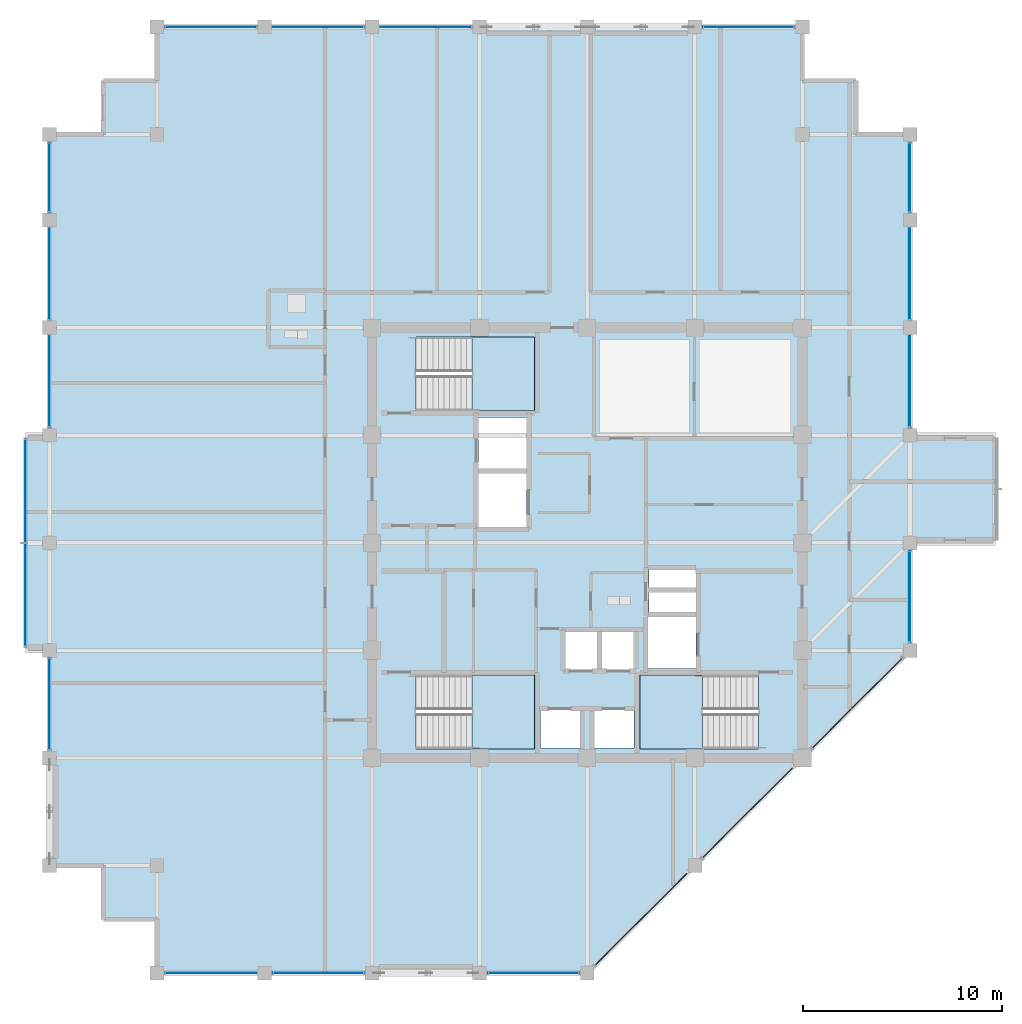
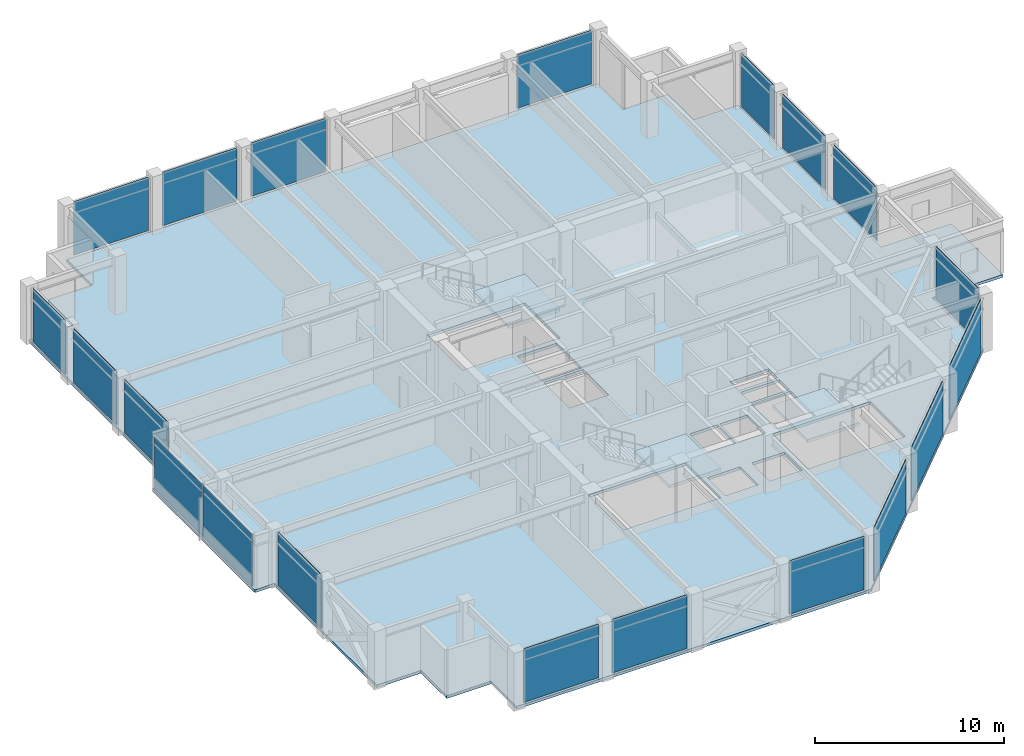
# One storey, part 23 of 32: 20 plates, 4 slabs, 13 elements without a shape of their own.
"""IFC4 building model written with IfcOpenShell, lengths in metres."""

from ifc_helpers import new_model, si_unit, direction, frame, frame_2d, origin, place, context, subcontext, project, spatial, polyline, rectangle, outline, extrude, material, layer, layer_set, type_object, element, aggregate, save


model = new_model("IFC4")

# Units and contexts
model_context = context("Model", 3, precision=1e-05, world=origin(), true_north=direction((0.0, 1.0)))
body_context = subcontext(model_context, "Body", "Model", "MODEL_VIEW")
ifc_project = project(units=[si_unit("LENGTHUNIT", "METRE"), si_unit("AREAUNIT", "SQUARE_METRE"), si_unit("VOLUMEUNIT", "CUBIC_METRE"), si_unit("PLANEANGLEUNIT", "RADIAN"), si_unit("MASSUNIT", "GRAM", prefix="KILO")], contexts=[model_context])

# Site, building, storey
site_placement = place(None, origin())
site = spatial("IfcSite", under=ifc_project, at=site_placement, CompositionType="ELEMENT")
building_placement = place(site_placement, origin())
building = spatial("IfcBuilding", under=site, at=building_placement, Name="Surkhivell Harbour Commons", CompositionType="ELEMENT")
storey_placement = place(building_placement, frame((0.0, 0.0, 311.25)))
storey = spatial("IfcBuildingStorey", under=building, at=storey_placement, Name="L81", CompositionType="ELEMENT", Elevation=311.25)

# Curtain wall, plates
ifc_material_1 = material(Name="Anodised pale-metal aluminium and insulated glazing", Category="aluminium")
ifc_layer_1 = layer(ifc_material_1, 0.1650390625)
ifc_layer_set_1 = layer_set([ifc_layer_1], Name="Anodised pale-metal aluminium and insulated glazing")
curtain_wall_type_1 = type_object("IfcCurtainWallType", Name="CW-SYS-BOX", PredefinedType="NOTDEFINED", material=ifc_layer_set_1)
curtain_wall_1_placement = place(storey_placement, origin())
curtain_wall_1 = element("IfcCurtainWall", 1, at=curtain_wall_1_placement, inside=storey, type_object=curtain_wall_type_1, Name="L81 Curtain Wall CW-L81-BOX02", PredefinedType="NOTDEFINED")
ifc_material_2 = material(Name="Triple-glazed bay-cluster vision glass", Category="glass")
ifc_layer_2 = layer(ifc_material_2, 0.028076171875)
ifc_layer_set_2 = layer_set([ifc_layer_2], Name="Triple-glazed bay-cluster vision glass")
plate_type_1 = type_object("IfcPlateType", Name="CWP-GLZ-28", PredefinedType="CURTAIN_PANEL", material=ifc_layer_set_2)
plate_1_placement = place(storey_placement, frame((-28.199951171875, -5.179931640625, 0.1298828125), z_axis=(0.0, 0.0, 1.0), x_axis=(0.0, 1.0, 0.0)))
plate_1 = element("IfcPlate", 2, at=plate_1_placement, type_object=plate_type_1, Name="CW-BOX panel 1.1", PredefinedType="CURTAIN_PANEL", context=body_context, shape_type="SweptSolid", body=[
    extrude(rectangle(XDim=5.14501953125, YDim=0.028076171875, at=frame_2d((2.572509765625, 0.0))), origin(), (0.0, 0.0, 1.0), 3.31005859375),
])
plate_2_placement = place(storey_placement, frame((-28.199951171875, 0.034912109375, 0.1298828125), z_axis=(0.0, 0.0, 1.0), x_axis=(0.0, 1.0, 0.0)))
plate_2 = element("IfcPlate", 3, at=plate_2_placement, type_object=plate_type_1, Name="CW-BOX panel 2.1", PredefinedType="CURTAIN_PANEL", context=body_context, shape_type="SweptSolid", body=[
    extrude(rectangle(XDim=5.14501953125, YDim=0.028076171875, at=frame_2d((2.572509765625, 0.0))), origin(), (0.0, 0.0, 1.0), 3.31005859375),
])
aggregate(curtain_wall_1, [plate_1, plate_2])

ifc_layer_3 = layer(ifc_material_1, 0.175048828125)
ifc_layer_set_3 = layer_set([ifc_layer_3], Name="Anodised pale-metal aluminium and insulated glazing")
curtain_wall_type_2 = type_object("IfcCurtainWallType", Name="CW-SYS-Z4", PredefinedType="NOTDEFINED", material=ifc_layer_set_3)
curtain_wall_2_placement = place(storey_placement, origin())
curtain_wall_2 = element("IfcCurtainWall", 4, at=curtain_wall_2_placement, inside=storey, type_object=curtain_wall_type_2, Name="L81 Curtain Wall CW-L81-E00S1", PredefinedType="NOTDEFINED")
ifc_material_3 = material(Name="Insulated shadow-box spandrel glazing", Category="glass")
ifc_layer_4 = layer(ifc_material_3, 0.0400390625)
ifc_layer_set_4 = layer_set([ifc_layer_4], Name="Insulated shadow-box spandrel glazing")
plate_type_2 = type_object("IfcPlateType", Name="CWP-SPN-40", PredefinedType="CURTAIN_PANEL", material=ifc_layer_set_4)
plate_3_placement = place(storey_placement, frame((-21.173095703125, -21.60009765625, 0.1298828125), z_axis=(0.0, 0.0, 1.0), x_axis=(1.0, 0.0, 0.0)))
plate_3 = element("IfcPlate", 5, at=plate_3_placement, type_object=plate_type_2, Name="CW-Z4 panel 1.1", PredefinedType="CURTAIN_PANEL", context=body_context, shape_type="SweptSolid", body=[
    extrude(rectangle(XDim=4.546142578125, YDim=0.0400390625, at=frame_2d((2.27294921875, 0.0))), origin(), (0.0, 0.0, 1.0), 3.440185546875),
])
plate_4_placement = place(storey_placement, frame((-15.77294921875, -21.60009765625, 0.1298828125), z_axis=(0.0, 0.0, 1.0), x_axis=(1.0, 0.0, 0.0)))
plate_4 = element("IfcPlate", 6, at=plate_4_placement, type_object=plate_type_2, Name="CW-Z4 panel 2.1", PredefinedType="CURTAIN_PANEL", context=body_context, shape_type="SweptSolid", body=[
    extrude(rectangle(XDim=4.5458984375, YDim=0.0400390625, at=frame_2d((2.27294921875, 0.0))), origin(), (0.0, 0.0, 1.0), 3.440185546875),
])
aggregate(curtain_wall_2, [plate_3, plate_4])

# Curtain wall, plate
curtain_wall_3_placement = place(storey_placement, origin())
curtain_wall_3 = element("IfcCurtainWall", 7, at=curtain_wall_3_placement, inside=storey, type_object=curtain_wall_type_2, Name="L81 Curtain Wall CW-L81-E00S2", PredefinedType="NOTDEFINED")
plate_5_placement = place(storey_placement, frame((-4.972900390625, -21.60009765625, 0.1298828125), z_axis=(0.0, 0.0, 1.0), x_axis=(1.0, 0.0, 0.0)))
plate_5 = element("IfcPlate", 8, at=plate_5_placement, type_object=plate_type_2, Name="CW-Z4 panel 1.1", PredefinedType="CURTAIN_PANEL", context=body_context, shape_type="SweptSolid", body=[
    extrude(rectangle(XDim=4.5458984375, YDim=0.0400390625, at=frame_2d((2.27294921875, 0.0))), origin(), (0.0, 0.0, 1.0), 3.440185546875),
])
aggregate(curtain_wall_3, [plate_5])

# Curtain wall, plates
curtain_wall_4_placement = place(storey_placement, origin())
curtain_wall_4 = element("IfcCurtainWall", 9, at=curtain_wall_4_placement, inside=storey, type_object=curtain_wall_type_2, Name="L81 Curtain Wall CW-L81-E01", PredefinedType="NOTDEFINED")
plate_6_placement = place(storey_placement, frame((0.404541015625, -21.1953125, 0.1298828125), z_axis=(0.0, 0.0, 1.0), x_axis=(0.707125583467, 0.707087978406, 0.0)))
plate_6 = element("IfcPlate", 10, at=plate_6_placement, type_object=plate_type_2, Name="CW-Z4 panel 1.1", PredefinedType="CURTAIN_PANEL", context=body_context, shape_type="SweptSolid", body=[
    extrude(rectangle(XDim=6.4921875, YDim=0.0400390625, at=frame_2d((3.24609375, 0.0))), origin(), (0.0, 0.0, 1.0), 3.440185546875),
])
plate_7_placement = place(storey_placement, frame((5.8046875, -15.79541015625, 0.1298828125), z_axis=(0.0, 0.0, 1.0), x_axis=(0.707106781187, 0.707106781187, 0.0)))
plate_7 = element("IfcPlate", 11, at=plate_7_placement, type_object=plate_type_2, Name="CW-Z4 panel 2.1", PredefinedType="CURTAIN_PANEL", context=body_context, shape_type="SweptSolid", body=[
    extrude(rectangle(XDim=6.350830078125, YDim=0.0400390625, at=frame_2d((3.17529296875, 0.0))), origin(), (0.0, 0.0, 1.0), 3.440185546875),
])
plate_8_placement = place(storey_placement, frame((11.3046875, -10.29541015625, 0.1298828125), z_axis=(0.0, 0.0, 1.0), x_axis=(0.707106781187, 0.707106781187, 0.0)))
plate_8 = element("IfcPlate", 12, at=plate_8_placement, type_object=plate_type_2, Name="CW-Z4 panel 3.1", PredefinedType="CURTAIN_PANEL", context=body_context, shape_type="SweptSolid", body=[
    extrude(rectangle(XDim=6.350830078125, YDim=0.0400390625, at=frame_2d((3.17529296875, 0.0))), origin(), (0.0, 0.0, 1.0), 3.440185546875),
])
aggregate(curtain_wall_4, [plate_6, plate_7, plate_8])

# Curtain wall, plate
curtain_wall_5_placement = place(storey_placement, origin())
curtain_wall_5 = element("IfcCurtainWall", 13, at=curtain_wall_5_placement, inside=storey, type_object=curtain_wall_type_2, Name="L81 Curtain Wall CW-L81-E02R1", PredefinedType="NOTDEFINED")
plate_9_placement = place(storey_placement, frame((16.199951171875, -4.972900390625, 0.1298828125), z_axis=(0.0, 0.0, 1.0), x_axis=(0.0, 1.0, 0.0)))
plate_9 = element("IfcPlate", 14, at=plate_9_placement, type_object=plate_type_2, Name="CW-Z4 panel 1.1", PredefinedType="CURTAIN_PANEL", context=body_context, shape_type="SweptSolid", body=[
    extrude(rectangle(XDim=4.5458984375, YDim=0.0400390625, at=frame_2d((2.27294921875, 0.0))), origin(), (0.0, 0.0, 1.0), 3.440185546875),
])
aggregate(curtain_wall_5, [plate_9])

# Curtain wall, plates
curtain_wall_6_placement = place(storey_placement, origin())
curtain_wall_6 = element("IfcCurtainWall", 15, at=curtain_wall_6_placement, inside=storey, type_object=curtain_wall_type_2, Name="L81 Curtain Wall CW-L81-E02R2", PredefinedType="NOTDEFINED")
plate_10_placement = place(storey_placement, frame((16.199951171875, 5.826904296875, 0.1298828125), z_axis=(0.0, 0.0, 1.0), x_axis=(0.0, 1.0, 0.0)))
plate_10 = element("IfcPlate", 16, at=plate_10_placement, type_object=plate_type_2, Name="CW-Z4 panel 1.1", PredefinedType="CURTAIN_PANEL", context=body_context, shape_type="SweptSolid", body=[
    extrude(rectangle(XDim=4.546142578125, YDim=0.0400390625, at=frame_2d((2.27294921875, 0.0))), origin(), (0.0, 0.0, 1.0), 3.440185546875),
])
plate_11_placement = place(storey_placement, frame((16.199951171875, 11.22705078125, 0.1298828125), z_axis=(0.0, 0.0, 1.0), x_axis=(0.0, 1.0, 0.0)))
plate_11 = element("IfcPlate", 17, at=plate_11_placement, type_object=plate_type_2, Name="CW-Z4 panel 2.1", PredefinedType="CURTAIN_PANEL", context=body_context, shape_type="SweptSolid", body=[
    extrude(rectangle(XDim=4.5458984375, YDim=0.0400390625, at=frame_2d((2.27294921875, 0.0))), origin(), (0.0, 0.0, 1.0), 3.440185546875),
])
plate_12_placement = place(storey_placement, frame((16.199951171875, 16.626953125, 0.1298828125), z_axis=(0.0, 0.0, 1.0), x_axis=(0.0, 1.0, 0.0)))
plate_12 = element("IfcPlate", 18, at=plate_12_placement, type_object=plate_type_2, Name="CW-Z4 panel 3.1", PredefinedType="CURTAIN_PANEL", context=body_context, shape_type="SweptSolid", body=[
    extrude(rectangle(XDim=3.446044921875, YDim=0.0400390625, at=frame_2d((1.72314453125, 0.0))), origin(), (0.0, 0.0, 1.0), 3.440185546875),
])
aggregate(curtain_wall_6, [plate_10, plate_11, plate_12])

# Curtain wall, plate
curtain_wall_7_placement = place(storey_placement, origin())
curtain_wall_7 = element("IfcCurtainWall", 19, at=curtain_wall_7_placement, inside=storey, type_object=curtain_wall_type_2, Name="L81 Curtain Wall CW-L81-E07S1", PredefinedType="NOTDEFINED")
plate_13_placement = place(storey_placement, frame((10.373046875, 25.89990234375, 0.1298828125), z_axis=(0.0, 0.0, 1.0), x_axis=(-1.0, 0.0, 0.0)))
plate_13 = element("IfcPlate", 20, at=plate_13_placement, type_object=plate_type_2, Name="CW-Z4 panel 1.1", PredefinedType="CURTAIN_PANEL", context=body_context, shape_type="SweptSolid", body=[
    extrude(rectangle(XDim=4.546142578125, YDim=0.0400390625, at=frame_2d((2.27294921875, 0.0))), origin(), (0.0, 0.0, 1.0), 3.440185546875),
])
aggregate(curtain_wall_7, [plate_13])

# Curtain wall, plates
curtain_wall_8_placement = place(storey_placement, origin())
curtain_wall_8 = element("IfcCurtainWall", 21, at=curtain_wall_8_placement, inside=storey, type_object=curtain_wall_type_2, Name="L81 Curtain Wall CW-L81-E07S2", PredefinedType="NOTDEFINED")
plate_14_placement = place(storey_placement, frame((-5.826904296875, 25.89990234375, 0.1298828125), z_axis=(0.0, 0.0, 1.0), x_axis=(-1.0, 0.0, 0.0)))
plate_14 = element("IfcPlate", 22, at=plate_14_placement, type_object=plate_type_2, Name="CW-Z4 panel 1.1", PredefinedType="CURTAIN_PANEL", context=body_context, shape_type="SweptSolid", body=[
    extrude(rectangle(XDim=4.546142578125, YDim=0.0400390625, at=frame_2d((2.27294921875, 0.0))), origin(), (0.0, 0.0, 1.0), 3.440185546875),
])
plate_15_placement = place(storey_placement, frame((-11.22705078125, 25.89990234375, 0.1298828125), z_axis=(0.0, 0.0, 1.0), x_axis=(-1.0, 0.0, 0.0)))
plate_15 = element("IfcPlate", 23, at=plate_15_placement, type_object=plate_type_2, Name="CW-Z4 panel 2.1", PredefinedType="CURTAIN_PANEL", context=body_context, shape_type="SweptSolid", body=[
    extrude(rectangle(XDim=4.5458984375, YDim=0.0400390625, at=frame_2d((2.27294921875, 0.0))), origin(), (0.0, 0.0, 1.0), 3.440185546875),
])
plate_16_placement = place(storey_placement, frame((-16.626953125, 25.89990234375, 0.1298828125), z_axis=(0.0, 0.0, 1.0), x_axis=(-1.0, 0.0, 0.0)))
plate_16 = element("IfcPlate", 24, at=plate_16_placement, type_object=plate_type_2, Name="CW-Z4 panel 3.1", PredefinedType="CURTAIN_PANEL", context=body_context, shape_type="SweptSolid", body=[
    extrude(rectangle(XDim=4.546142578125, YDim=0.0400390625, at=frame_2d((2.27294921875, 0.0))), origin(), (0.0, 0.0, 1.0), 3.440185546875),
])
aggregate(curtain_wall_8, [plate_14, plate_15, plate_16])

# Curtain wall, plate
curtain_wall_9_placement = place(storey_placement, origin())
curtain_wall_9 = element("IfcCurtainWall", 25, at=curtain_wall_9_placement, inside=storey, type_object=curtain_wall_type_2, Name="L81 Curtain Wall CW-L81-E12R1S1", PredefinedType="NOTDEFINED")
plate_17_placement = place(storey_placement, frame((-27.0, -10.373046875, 0.1298828125), z_axis=(0.0, 0.0, 1.0), x_axis=(0.0, 1.0, 0.0)))
plate_17 = element("IfcPlate", 26, at=plate_17_placement, type_object=plate_type_2, Name="CW-Z4 panel 1.1", PredefinedType="CURTAIN_PANEL", context=body_context, shape_type="SweptSolid", body=[
    extrude(rectangle(XDim=4.546142578125, YDim=0.0400390625, at=frame_2d((2.27294921875, 0.0))), origin(), (0.0, 0.0, 1.0), 3.440185546875),
])
aggregate(curtain_wall_9, [plate_17])

# Curtain wall, plates
curtain_wall_10_placement = place(storey_placement, origin())
curtain_wall_10 = element("IfcCurtainWall", 27, at=curtain_wall_10_placement, inside=storey, type_object=curtain_wall_type_2, Name="L81 Curtain Wall CW-L81-E12R2", PredefinedType="NOTDEFINED")
plate_18_placement = place(storey_placement, frame((-27.0, 5.826904296875, 0.1298828125), z_axis=(0.0, 0.0, 1.0), x_axis=(0.0, 1.0, 0.0)))
plate_18 = element("IfcPlate", 28, at=plate_18_placement, type_object=plate_type_2, Name="CW-Z4 panel 1.1", PredefinedType="CURTAIN_PANEL", context=body_context, shape_type="SweptSolid", body=[
    extrude(rectangle(XDim=4.546142578125, YDim=0.0400390625, at=frame_2d((2.27294921875, 0.0))), origin(), (0.0, 0.0, 1.0), 3.440185546875),
])
plate_19_placement = place(storey_placement, frame((-27.0, 11.22705078125, 0.1298828125), z_axis=(0.0, 0.0, 1.0), x_axis=(0.0, 1.0, 0.0)))
plate_19 = element("IfcPlate", 29, at=plate_19_placement, type_object=plate_type_2, Name="CW-Z4 panel 2.1", PredefinedType="CURTAIN_PANEL", context=body_context, shape_type="SweptSolid", body=[
    extrude(rectangle(XDim=4.5458984375, YDim=0.0400390625, at=frame_2d((2.27294921875, 0.0))), origin(), (0.0, 0.0, 1.0), 3.440185546875),
])
plate_20_placement = place(storey_placement, frame((-27.0, 16.626953125, 0.1298828125), z_axis=(0.0, 0.0, 1.0), x_axis=(0.0, 1.0, 0.0)))
plate_20 = element("IfcPlate", 30, at=plate_20_placement, type_object=plate_type_2, Name="CW-Z4 panel 3.1", PredefinedType="CURTAIN_PANEL", context=body_context, shape_type="SweptSolid", body=[
    extrude(rectangle(XDim=3.446044921875, YDim=0.0400390625, at=frame_2d((1.72314453125, 0.0))), origin(), (0.0, 0.0, 1.0), 3.440185546875),
])
aggregate(curtain_wall_10, [plate_18, plate_19, plate_20])

# Stair, slab
ifc_material_4 = material(Name="Precast concrete C45/55", Category="concrete")
stair_type = type_object("IfcStairType", Name="STR-DL-375", PredefinedType="HALF_TURN_STAIR", material=ifc_material_4)
stair_1_placement = place(storey_placement, origin())
stair_1 = element("IfcStair", 31, at=stair_1_placement, inside=storey, type_object=stair_type, Name="L81 Core Exit Stair ST1", PredefinedType="HALF_TURN_STAIR")
ifc_material_5 = material(Name="Reinforced concrete C45/55", Category="concrete")
ifc_layer_5 = layer(ifc_material_5, 0.199951171875)
ifc_layer_set_5 = layer_set([ifc_layer_5], Name="Reinforced concrete C45/55")
slab_type_1 = type_object("IfcSlabType", Name="SLB-ST-LND200", PredefinedType="LANDING", material=ifc_layer_set_5)
slab_1_placement = place(storey_placement, frame((0.0, 0.0, 1.675048828125)))
slab_1 = element("IfcSlab", 32, at=slab_1_placement, type_object=slab_type_1, Name="ST1 landing 1", PredefinedType="LANDING", context=body_context, shape_type="SweptSolid", body=[
    extrude(outline(polyline([(-5.7900390625, 6.639892578125), (-2.639892578125, 6.639892578125), (-2.639892578125, 10.340087890625), (-5.7900390625, 10.340087890625), (-5.7900390625, 6.639892578125)])), origin(), (0.0, 0.0, 1.0), 0.199951171875),
])
aggregate(stair_1, [slab_1])

stair_2_placement = place(storey_placement, origin())
stair_2 = element("IfcStair", 33, at=stair_2_placement, inside=storey, type_object=stair_type, Name="L81 Core Exit Stair ST2", PredefinedType="HALF_TURN_STAIR")
slab_2_placement = place(storey_placement, frame((0.0, 0.0, 1.675048828125)))
slab_2 = element("IfcSlab", 34, at=slab_2_placement, type_object=slab_type_1, Name="ST2 landing 1", PredefinedType="LANDING", context=body_context, shape_type="SweptSolid", body=[
    extrude(outline(polyline([(5.7900390625, -6.639892578125), (2.639892578125, -6.639892578125), (2.639892578125, -10.340087890625), (5.7900390625, -10.340087890625), (5.7900390625, -6.639892578125)])), origin(), (0.0, 0.0, 1.0), 0.199951171875),
])
aggregate(stair_2, [slab_2])

stair_3_placement = place(storey_placement, origin())
stair_3 = element("IfcStair", 35, at=stair_3_placement, inside=storey, type_object=stair_type, Name="L81 Core Exit Stair ST3", PredefinedType="HALF_TURN_STAIR")
slab_3_placement = place(storey_placement, frame((0.0, 0.0, 1.675048828125)))
slab_3 = element("IfcSlab", 36, at=slab_3_placement, type_object=slab_type_1, Name="ST3 landing 1", PredefinedType="LANDING", context=body_context, shape_type="SweptSolid", body=[
    extrude(outline(polyline([(-5.7900390625, -10.340087890625), (-2.639892578125, -10.340087890625), (-2.639892578125, -6.639892578125), (-5.7900390625, -6.639892578125), (-5.7900390625, -10.340087890625)])), origin(), (0.0, 0.0, 1.0), 0.199951171875),
])
aggregate(stair_3, [slab_3])

# Slab
ifc_material_6 = material(Name="Concrete C45/55", Category="concrete")
ifc_layer_6 = layer(ifc_material_6, 0.179931640625)
ifc_layer_set_6 = layer_set([ifc_layer_6], Name="Concrete C45/55")
slab_type_2 = type_object("IfcSlabType", Name="SLB-TYP-180", PredefinedType="FLOOR", material=ifc_layer_set_6)
slab_4_placement = place(storey_placement, frame((0.0, 0.0, -0.179931640625)))
element("IfcSlab", 37, at=slab_4_placement, inside=storey, type_object=slab_type_2, Name="L81 Structural Floor Slab", PredefinedType="FLOOR", context=body_context, shape_type="SweptSolid", body=[
    extrude(outline(polyline([(-27.0, 20.5), (-27.0, 5.39990234375), (-28.199951171875, 5.39990234375), (-28.199951171875, -5.39990234375), (-27.0, -5.39990234375), (-27.0, -16.199951171875), (-24.300048828125, -16.199951171875), (-24.300048828125, -18.89990234375), (-21.60009765625, -18.89990234375), (-21.60009765625, -21.60009765625), (0.0, -21.60009765625), (16.199951171875, -5.39990234375), (16.199951171875, 0.0), (20.5, 0.0), (20.5, 5.39990234375), (16.199951171875, 5.39990234375), (16.199951171875, 20.5), (13.5, 20.5), (13.5, 23.199951171875), (10.800048828125, 23.199951171875), (10.800048828125, 25.89990234375), (-21.60009765625, 25.89990234375), (-21.60009765625, 23.199951171875), (-24.300048828125, 23.199951171875), (-24.300048828125, 20.5), (-27.0, 20.5)]), holes=[polyline([(-8.590087890625, 6.639892578125), (-2.639892578125, 6.639892578125), (-2.639892578125, 10.340087890625), (-8.590087890625, 10.340087890625), (-8.590087890625, 6.639892578125)]), polyline([(8.590087890625, -6.639892578125), (2.639892578125, -6.639892578125), (2.639892578125, -10.340087890625), (8.590087890625, -10.340087890625), (8.590087890625, -6.639892578125)]), polyline([(-8.590087890625, -10.340087890625), (-2.639892578125, -10.340087890625), (-2.639892578125, -6.639892578125), (-8.590087890625, -6.639892578125), (-8.590087890625, -10.340087890625)]), polyline([(-1.14990234375, -6.35009765625), (0.550048828125, -6.35009765625), (0.550048828125, -4.449951171875), (-1.14990234375, -4.449951171875), (-1.14990234375, -6.35009765625)]), polyline([(0.679931640625, -6.35009765625), (2.3798828125, -6.35009765625), (2.3798828125, -4.449951171875), (0.679931640625, -4.449951171875), (0.679931640625, -6.35009765625)]), polyline([(-2.35009765625, -10.300048828125), (-0.35009765625, -10.300048828125), (-0.35009765625, -8.39990234375), (-2.35009765625, -8.39990234375), (-2.35009765625, -10.300048828125)]), polyline([(0.35009765625, -10.300048828125), (2.35009765625, -10.300048828125), (2.35009765625, -8.39990234375), (0.35009765625, -8.39990234375), (0.35009765625, -10.300048828125)]), polyline([(-5.449951171875, 3.699951171875), (-3.050048828125, 3.699951171875), (-3.050048828125, 6.300048828125), (-5.449951171875, 6.300048828125), (-5.449951171875, 3.699951171875)]), polyline([(3.050048828125, -6.300048828125), (5.449951171875, -6.300048828125), (5.449951171875, -3.699951171875), (3.050048828125, -3.699951171875), (3.050048828125, -6.300048828125)]), polyline([(-5.449951171875, 0.800048828125), (-3.050048828125, 0.800048828125), (-3.050048828125, 3.5), (-5.449951171875, 3.5), (-5.449951171875, 0.800048828125)]), polyline([(3.10009765625, -3.550048828125), (5.449951171875, -3.550048828125), (5.449951171875, -2.47998046875), (3.10009765625, -2.47998046875), (3.10009765625, -3.550048828125)]), polyline([(3.10009765625, -2.280029296875), (5.449951171875, -2.280029296875), (5.449951171875, -1.35009765625), (3.10009765625, -1.35009765625), (3.10009765625, -2.280029296875)])]), origin(), (0.0, 0.0, 1.0), 0.179931640625),
])

save(model, "model.ifc")
